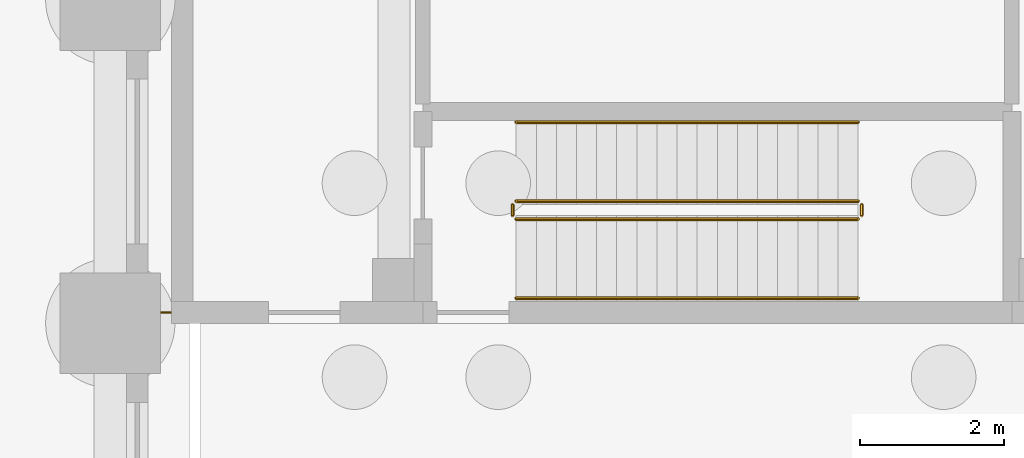
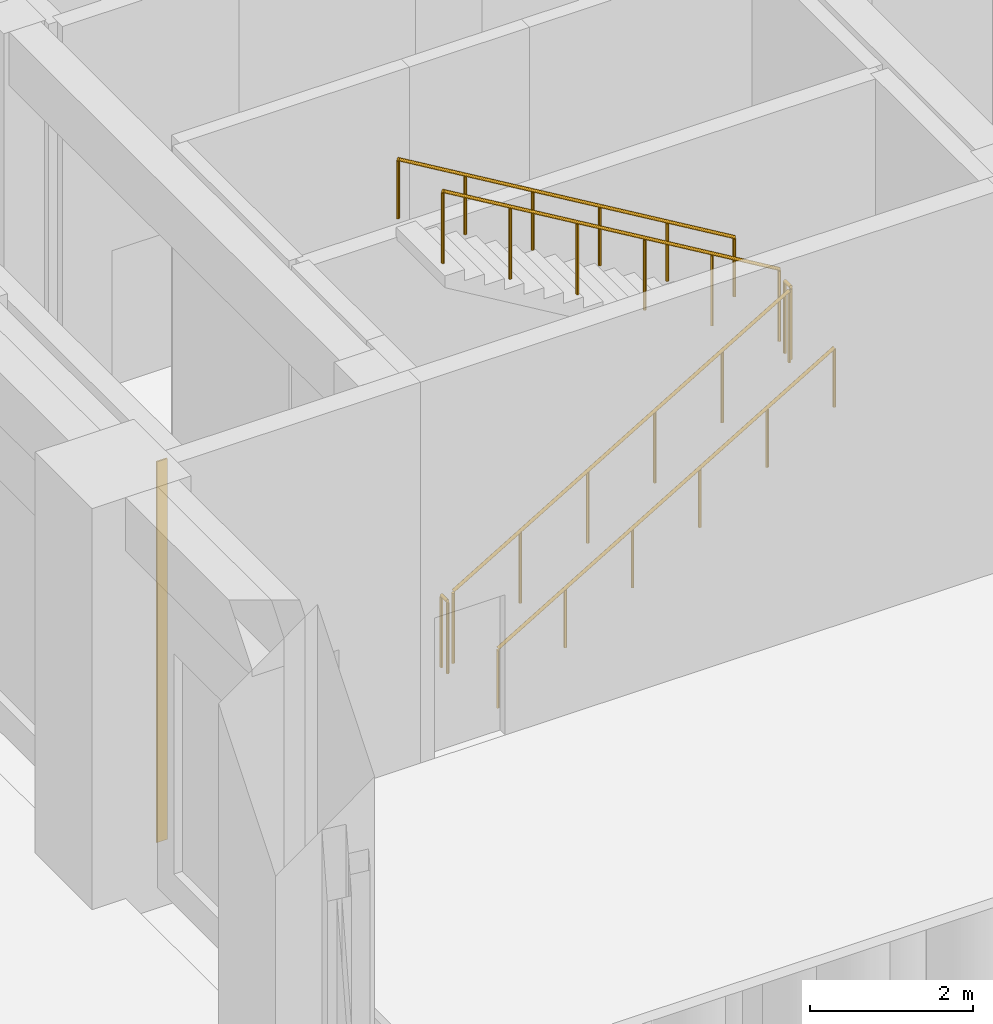
# One storey, part 25 of 31: 6 railings, 1 covering.
"""IFC4 building model written with IfcOpenShell, lengths in metres."""

import ifcopenshell
import ifcopenshell.guid

model = None  # the IFC model being written
_history = None  # IfcOwnerHistory: only IFC2X3 demands one
_inside = {}  # id of a spatial element -> (the spatial element, [elements in it])
_under = {}  # id of a project, library or spatial element -> (it, [spatial elements below it])
_declared = {}  # id of a project -> (the project, [libraries it declares])
_typed = {}  # id of a type object -> (the type object, [elements of that type])
_made_of = {}  # id of a material, layer set ... -> (it, [elements and type objects made of it])


def new_model(schema):
    """Start an empty IFC model of exactly this schema.

    Asked for "IFC4X3", IfcOpenShell would pick the latest addendum, in which some entities
    have other attributes; the version numbers below select the first issue.
    IFC2X3 requires an IfcOwnerHistory on every rooted entity: one is made here for all.
    """
    global model, _history
    if schema == "IFC4X3":
        model = ifcopenshell.file(schema_version=(4, 3, 0, 0))
    else:
        model = ifcopenshell.file(schema=schema)
    _inside.clear()
    _under.clear()
    _declared.clear()
    _typed.clear()
    _made_of.clear()
    _history = None
    if model.schema == "IFC2X3":
        org = make("IfcOrganization", Name="unknown")
        user = make(
            "IfcPersonAndOrganization",
            ThePerson=make("IfcPerson", FamilyName="unknown"),
            TheOrganization=org,
        )
        app = make(
            "IfcApplication",
            ApplicationDeveloper=org,
            Version="unknown",
            ApplicationFullName="unknown",
            ApplicationIdentifier="unknown",
        )
        _history = make(
            "IfcOwnerHistory",
            OwningUser=user,
            OwningApplication=app,
            ChangeAction="ADDED",
            CreationDate=0,
        )
    return model


def make(cls, **values):
    """One entity of the class cls with the attributes given. An attribute that is None is left unset."""
    return model.create_entity(
        cls, **{name: value for name, value in values.items() if value is not None}
    )


def rooted(cls, **values):
    """An entity with a GlobalId (a new one), such as an element, a storey or a relation."""
    return make(cls, GlobalId=ifcopenshell.guid.new(), OwnerHistory=_history, **values)


def si_unit(unit_type, name, prefix=None):
    """IfcSIUnit, for example si_unit("LENGTHUNIT", "METRE", prefix="MILLI")."""
    return make("IfcSIUnit", UnitType=unit_type, Prefix=prefix, Name=name)


def assignment(units):
    """IfcUnitAssignment: the units of a project."""
    return None if units is None else make("IfcUnitAssignment", Units=units)


def point(xyz):
    """IfcCartesianPoint."""
    return None if xyz is None else make("IfcCartesianPoint", Coordinates=xyz)


def direction(xyz):
    """IfcDirection."""
    return None if xyz is None else make("IfcDirection", DirectionRatios=xyz)


def frame(location, z_axis=None, x_axis=None):
    """IfcAxis2Placement3D, a coordinate frame: its origin and axes. An axis left out is left unset."""
    return make(
        "IfcAxis2Placement3D",
        Location=point(location),
        Axis=direction(z_axis),
        RefDirection=direction(x_axis),
    )


def frame_2d(location, x_axis=None):
    """IfcAxis2Placement2D, a coordinate frame in the plane: its origin and x axis."""
    return make(
        "IfcAxis2Placement2D", Location=point(location), RefDirection=direction(x_axis)
    )


def origin():
    """The frame at (0, 0, 0) with its axes left unset."""
    return frame((0.0, 0.0, 0.0))


def origin_2d():
    """The frame at (0, 0) in the plane with its x axis left unset."""
    return frame_2d((0.0, 0.0))


def place(relative_to, where):
    """IfcLocalPlacement: puts the frame where relative to a parent placement (None: the world)."""
    return make(
        "IfcLocalPlacement", PlacementRelTo=relative_to, RelativePlacement=where
    )


def context(
    kind, dimensions, precision=None, world=None, true_north=None, identifier=None
):
    """IfcGeometricRepresentationContext, for example the 3D "Model" context."""
    return make(
        "IfcGeometricRepresentationContext",
        ContextIdentifier=identifier,
        ContextType=kind,
        CoordinateSpaceDimension=dimensions,
        Precision=precision,
        WorldCoordinateSystem=world,
        TrueNorth=true_north,
    )


def subcontext(parent, identifier, kind, view, scale=None):
    """IfcGeometricRepresentationSubContext, for example "Body" below "Model"."""
    return make(
        "IfcGeometricRepresentationSubContext",
        ContextIdentifier=identifier,
        ContextType=kind,
        ParentContext=parent,
        TargetScale=scale,
        TargetView=view,
    )


def project(units=None, contexts=None):
    """IfcProject with its units and contexts."""
    return rooted(
        "IfcProject",
        Name="project",
        RepresentationContexts=contexts,
        UnitsInContext=assignment(units),
    )


def spatial(cls, under=None, at=None, **own):
    """A site, building, storey or space (cls), placed at a placement, below another one or the project."""
    s = rooted(cls, ObjectPlacement=at, **own)
    if under is not None:
        _under.setdefault(under.id(), (under, []))[1].append(s)
    return s


def profile(cls, at=None, kind="AREA", **sizes):
    """A parametric profile (cls). Its sizes go by their IFC names, for example OverallWidth=200.0."""
    return make(cls, ProfileType=kind, Position=at, **sizes)


def rectangle(**sizes):
    """IfcRectangleProfileDef."""
    return profile("IfcRectangleProfileDef", **sizes)


def circle(**sizes):
    """IfcCircleProfileDef."""
    return profile("IfcCircleProfileDef", **sizes)


def extrude(swept, where, along, depth):
    """IfcExtrudedAreaSolid: the profile swept, set in the frame where, extruded along a direction by depth."""
    return make(
        "IfcExtrudedAreaSolid",
        SweptArea=swept,
        Position=where,
        ExtrudedDirection=direction(along),
        Depth=depth,
    )


def shape(context_of_items, identifier, shape_type, items):
    """IfcShapeRepresentation: the items that make up one representation, for example the "Body"."""
    return make(
        "IfcShapeRepresentation",
        ContextOfItems=context_of_items,
        RepresentationIdentifier=identifier,
        RepresentationType=shape_type,
        Items=items,
    )


def material(Name=None, Category=None):
    """IfcMaterial."""
    return make("IfcMaterial", Name=Name, Category=Category)


def layer(
    of_material, thickness, ventilated=None, Name=None, Category=None, Priority=None
):
    """IfcMaterialLayer: one layer of a wall or slab, of a material (None: an air gap)."""
    return make(
        "IfcMaterialLayer",
        Material=of_material,
        LayerThickness=thickness,
        IsVentilated=ventilated,
        Name=Name,
        Category=Category,
        Priority=Priority,
    )


def layer_set(layers, Name=None):
    """IfcMaterialLayerSet."""
    return make("IfcMaterialLayerSet", MaterialLayers=layers, LayerSetName=Name)


def made_of(thing, what):
    """Note that an element or type object is made of a material, layer set ...; save() writes the relation."""
    if what is not None:
        _made_of.setdefault(what.id(), (what, []))[1].append(thing)
    return thing


def type_object(cls, material=None, **own):
    """A type object (cls), such as IfcWallType, which elements share."""
    return made_of(rooted(cls, **own), material)


def element(
    cls,
    number,
    at=None,
    inside=None,
    cuts=None,
    type_object=None,
    material=None,
    context=None,
    identifier="Body",
    shape_type=None,
    held_by="IfcProductDefinitionShape",
    body=None,
    shapes=None,
    **own,
):
    """One element of the class cls, such as IfcWall. Its Tag is "e" and its number.

    at: its placement. inside: the storey or other place that contains it. cuts: it is an
    opening in that element (IfcRelVoidsElement). A single representation is given by context,
    identifier, shape_type and body (its items); several are given by shapes. held_by: the class
    of the entity that holds the representations. save() writes the other relations.
    """
    e = rooted(cls, Tag="e%d" % number, ObjectPlacement=at, **own)
    if body is not None:
        shapes = [shape(context, identifier, shape_type, body)]
    if shapes is not None:
        e.Representation = make(held_by, Representations=shapes)
    if inside is not None:
        _inside.setdefault(inside.id(), (inside, []))[1].append(e)
    if cuts is not None:
        rooted(
            "IfcRelVoidsElement", RelatingBuildingElement=cuts, RelatedOpeningElement=e
        )
    if type_object is not None:
        _typed.setdefault(type_object.id(), (type_object, []))[1].append(e)
    return made_of(e, material)


def aggregate(whole, parts):
    """IfcRelAggregates: a whole, such as a stair, and the parts it consists of."""
    return rooted("IfcRelAggregates", RelatingObject=whole, RelatedObjects=parts)


def save(model, path):
    """Write the relations noted so far, then the file.

    IfcRelAggregates (storeys below a building ...), IfcRelContainedInSpatialStructure (elements
    in a storey), IfcRelDefinesByType, IfcRelAssociatesMaterial and IfcRelDeclares: one each for
    every whole, place, type object, material and project.
    """
    for whole, parts in _under.values():
        aggregate(whole, parts)
    for where, things in _inside.values():
        rooted(
            "IfcRelContainedInSpatialStructure",
            RelatedElements=things,
            RelatingStructure=where,
        )
    for kind, things in _typed.values():
        rooted("IfcRelDefinesByType", RelatedObjects=things, RelatingType=kind)
    for what, things in _made_of.values():
        rooted("IfcRelAssociatesMaterial", RelatedObjects=things, RelatingMaterial=what)
    for by, libraries in _declared.values():
        rooted("IfcRelDeclares", RelatingContext=by, RelatedDefinitions=libraries)
    model.write(path)


model = new_model("IFC4")

# Units and contexts
model_context = context("Model", 3, precision=1e-05, world=origin(), true_north=direction((0.0, 1.0)))
body_context = subcontext(model_context, "Body", "Model", "MODEL_VIEW")
ifc_project = project(units=[si_unit("LENGTHUNIT", "METRE"), si_unit("AREAUNIT", "SQUARE_METRE"), si_unit("VOLUMEUNIT", "CUBIC_METRE"), si_unit("PLANEANGLEUNIT", "RADIAN"), si_unit("MASSUNIT", "GRAM", prefix="KILO")], contexts=[model_context])

# Site, building, storey
site_placement = place(None, origin())
site = spatial("IfcSite", under=ifc_project, at=site_placement, CompositionType="ELEMENT")
building_placement = place(site_placement, origin())
building = spatial("IfcBuilding", under=site, at=building_placement, Name="Girih Gate Residences", CompositionType="ELEMENT")
storey_placement = place(building_placement, origin())
storey = spatial("IfcBuildingStorey", under=building, at=storey_placement, Name="L00", CompositionType="ELEMENT", Elevation=0.0)

# Railings
ifc_material_1 = material(Name="Stainless steel railing", Category="steel")
railing_type_1 = type_object("IfcRailingType", Name="HC Guard 1100", PredefinedType="GUARDRAIL", material=ifc_material_1)
railing_1_placement = place(storey_placement, frame((55.14990234375, 10.449951171875, 0.166748046875)))
element("IfcRailing", 1, at=railing_1_placement, inside=storey, type_object=railing_type_1, Name="L00 HC-STA stair guard 1", PredefinedType="GUARDRAIL", context=body_context, shape_type="SweptSolid", body=[
    extrude(circle(Radius=0.02392578125, at=origin_2d()), frame((0.0, 0.0, 1.076171875), z_axis=(0.859299802514, 0.0, 0.511472237174), x_axis=(0.0, 1.0, 0.0)), (0.0, 0.0, 1.0), 5.539306640625),
    extrude(circle(Radius=0.02099609375, at=origin_2d()), origin(), (0.0, 0.0, 1.0), 1.052001953125),
    extrude(circle(Radius=0.02099609375, at=origin_2d()), frame((0.951904296875, 0.0, 0.566650390625)), (0.0, 0.0, 1.0), 1.052001953125),
    extrude(circle(Radius=0.02099609375, at=origin_2d()), frame((1.904052734375, 0.0, 1.13330078125)), (0.0, 0.0, 1.0), 1.052001953125),
    extrude(circle(Radius=0.02099609375, at=origin_2d()), frame((2.85595703125, 0.0, 1.699951171875)), (0.0, 0.0, 1.0), 1.052001953125),
    extrude(circle(Radius=0.02099609375, at=origin_2d()), frame((3.80810546875, 0.0, 2.2666015625)), (0.0, 0.0, 1.0), 1.052001953125),
    extrude(circle(Radius=0.02099609375, at=origin_2d()), frame((4.760009765625, 0.0, 2.833251953125)), (0.0, 0.0, 1.0), 1.052001953125),
])
railing_2_placement = place(storey_placement, frame((59.9599609375, 10.5, 3.0)))
element("IfcRailing", 2, at=railing_2_placement, inside=storey, type_object=railing_type_1, Name="L00 HC-STA stair guard 2", PredefinedType="GUARDRAIL", context=body_context, shape_type="SweptSolid", body=[
    extrude(circle(Radius=0.02392578125, at=origin_2d()), frame((0.0, 0.0, 1.076171875), z_axis=(0.0, 1.0, 0.0), x_axis=(-1.0, 0.0, 0.0)), (0.0, 0.0, 1.0), 0.14990234375),
    extrude(circle(Radius=0.02099609375, at=origin_2d()), origin(), (0.0, 0.0, 1.0), 1.052001953125),
    extrude(circle(Radius=0.02099609375, at=origin_2d()), frame((0.0, 0.14990234375, 0.0)), (0.0, 0.0, 1.0), 1.052001953125),
])
railing_3_placement = place(storey_placement, frame((59.909912109375, 10.699951171875, 3.166748046875)))
element("IfcRailing", 3, at=railing_3_placement, inside=storey, type_object=railing_type_1, Name="L00 HC-STA stair guard 3", PredefinedType="GUARDRAIL", context=body_context, shape_type="SweptSolid", body=[
    extrude(circle(Radius=0.02392578125, at=origin_2d()), frame((0.0, 0.0, 1.076171875), z_axis=(-0.859299802514, 0.0, 0.511472237174), x_axis=(0.0, -1.0, 0.0)), (0.0, 0.0, 1.0), 5.539306640625),
    extrude(circle(Radius=0.02099609375, at=origin_2d()), origin(), (0.0, 0.0, 1.0), 1.052001953125),
    extrude(circle(Radius=0.02099609375, at=origin_2d()), frame((-0.951904296875, 0.0, 0.566650390625)), (0.0, 0.0, 1.0), 1.052001953125),
    extrude(circle(Radius=0.02099609375, at=origin_2d()), frame((-1.904052734375, 0.0, 1.13330078125)), (0.0, 0.0, 1.0), 1.052001953125),
    extrude(circle(Radius=0.02099609375, at=origin_2d()), frame((-2.85595703125, 0.0, 1.699951171875)), (0.0, 0.0, 1.0), 1.052001953125),
    extrude(circle(Radius=0.02099609375, at=origin_2d()), frame((-3.80810546875, 0.0, 2.2666015625)), (0.0, 0.0, 1.0), 1.052001953125),
    extrude(circle(Radius=0.02099609375, at=origin_2d()), frame((-4.760009765625, 0.0, 2.833251953125)), (0.0, 0.0, 1.0), 1.052001953125),
])
railing_4_placement = place(storey_placement, frame((55.10009765625, 10.5, 0.0)))
element("IfcRailing", 4, at=railing_4_placement, inside=storey, type_object=railing_type_1, Name="L00 HC-STA stair guard 4", PredefinedType="GUARDRAIL", context=body_context, shape_type="SweptSolid", body=[
    extrude(circle(Radius=0.02392578125, at=origin_2d()), frame((0.0, 0.0, 1.076171875), z_axis=(0.0, 1.0, 0.0), x_axis=(-1.0, 0.0, 0.0)), (0.0, 0.0, 1.0), 0.14990234375),
    extrude(circle(Radius=0.02099609375, at=origin_2d()), origin(), (0.0, 0.0, 1.0), 1.052001953125),
    extrude(circle(Radius=0.02099609375, at=origin_2d()), frame((0.0, 0.14990234375, 0.0)), (0.0, 0.0, 1.0), 1.052001953125),
])
railing_type_2 = type_object("IfcRailingType", Name="HC Handrail 900", PredefinedType="HANDRAIL", material=ifc_material_1)
railing_5_placement = place(storey_placement, frame((55.14990234375, 9.35009765625, 0.166748046875)))
element("IfcRailing", 5, at=railing_5_placement, inside=storey, type_object=railing_type_2, Name="L00 HC-STA stair handrail 1", PredefinedType="HANDRAIL", context=body_context, shape_type="SweptSolid", body=[
    extrude(circle(Radius=0.02392578125, at=origin_2d()), frame((0.0, 0.0, 0.8857421875), z_axis=(0.859299802514, 0.0, 0.511472237174), x_axis=(0.0, 1.0, 0.0)), (0.0, 0.0, 1.0), 5.539306640625),
    extrude(circle(Radius=0.02099609375, at=origin_2d()), origin(), (0.0, 0.0, 1.0), 0.86181640625),
    extrude(circle(Radius=0.02099609375, at=origin_2d()), frame((0.951904296875, 0.0, 0.566650390625)), (0.0, 0.0, 1.0), 0.86181640625),
    extrude(circle(Radius=0.02099609375, at=origin_2d()), frame((1.904052734375, 0.0, 1.13330078125)), (0.0, 0.0, 1.0), 0.86181640625),
    extrude(circle(Radius=0.02099609375, at=origin_2d()), frame((2.85595703125, 0.0, 1.699951171875)), (0.0, 0.0, 1.0), 0.86181640625),
    extrude(circle(Radius=0.02099609375, at=origin_2d()), frame((3.80810546875, 0.0, 2.2666015625)), (0.0, 0.0, 1.0), 0.86181640625),
    extrude(circle(Radius=0.02099609375, at=origin_2d()), frame((4.760009765625, 0.0, 2.833251953125)), (0.0, 0.0, 1.0), 0.86181640625),
])
railing_6_placement = place(storey_placement, frame((59.909912109375, 11.800048828125, 3.166748046875)))
element("IfcRailing", 6, at=railing_6_placement, inside=storey, type_object=railing_type_2, Name="L00 HC-STA stair handrail 2", PredefinedType="HANDRAIL", context=body_context, shape_type="SweptSolid", body=[
    extrude(circle(Radius=0.02392578125, at=origin_2d()), frame((0.0, 0.0, 0.8857421875), z_axis=(-0.859299802514, 0.0, 0.511472237174), x_axis=(0.0, -1.0, 0.0)), (0.0, 0.0, 1.0), 5.539306640625),
    extrude(circle(Radius=0.02099609375, at=origin_2d()), origin(), (0.0, 0.0, 1.0), 0.86181640625),
    extrude(circle(Radius=0.02099609375, at=origin_2d()), frame((-0.951904296875, 0.0, 0.566650390625)), (0.0, 0.0, 1.0), 0.86181640625),
    extrude(circle(Radius=0.02099609375, at=origin_2d()), frame((-1.904052734375, 0.0, 1.13330078125)), (0.0, 0.0, 1.0), 0.86181640625),
    extrude(circle(Radius=0.02099609375, at=origin_2d()), frame((-2.85595703125, 0.0, 1.699951171875)), (0.0, 0.0, 1.0), 0.86181640625),
    extrude(circle(Radius=0.02099609375, at=origin_2d()), frame((-3.80810546875, 0.0, 2.2666015625)), (0.0, 0.0, 1.0), 0.86181640625),
    extrude(circle(Radius=0.02099609375, at=origin_2d()), frame((-4.760009765625, 0.0, 2.833251953125)), (0.0, 0.0, 1.0), 0.86181640625),
])

# Covering
ifc_material_2 = material(Name="Stainless steel cover plate", Category="steel")
ifc_layer = layer(ifc_material_2, 0.02001953125)
ifc_layer_set = layer_set([ifc_layer], Name="HC Movement joint cover plate")
covering_type = type_object("IfcCoveringType", Name="HC Movement joint cover plate", PredefinedType="CLADDING", material=ifc_layer_set)
covering_placement = place(storey_placement, frame((50.27490234375, 9.14990234375, 0.0), z_axis=(0.0, 0.0, 1.0), x_axis=(1.0, 0.0, 0.0)))
element("IfcCovering", 7, at=covering_placement, inside=storey, type_object=covering_type, Name="L00 joint between tower and health centre cover plate 1", PredefinedType="CLADDING", context=body_context, shape_type="SweptSolid", body=[
    extrude(rectangle(XDim=0.14990234375, YDim=0.02001953125, at=origin_2d()), origin(), (0.0, 0.0, 1.0), 5.699951171875),
])

save(model, "model.ifc")
